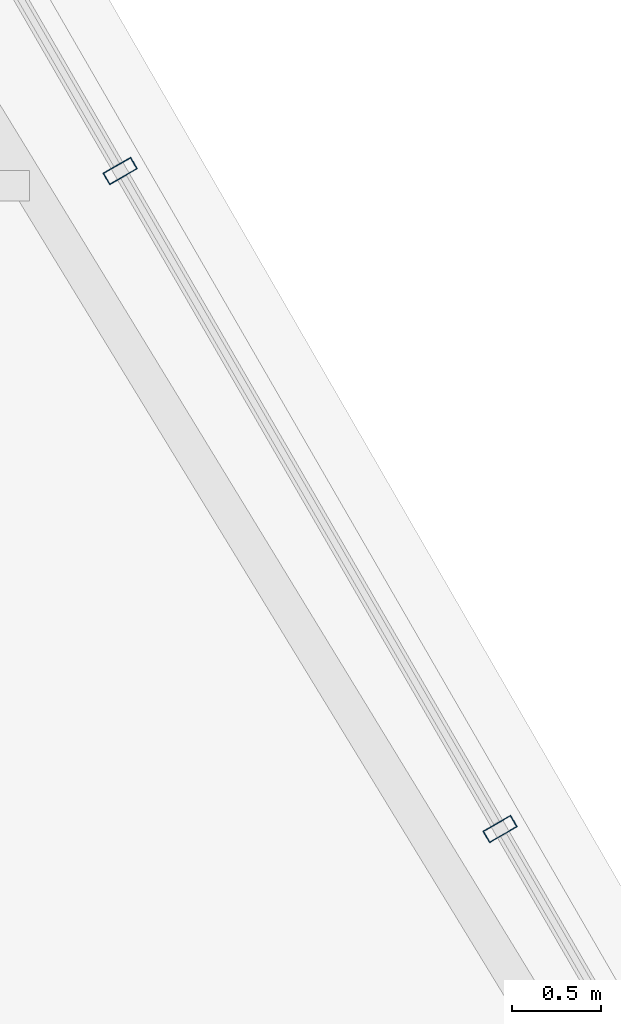
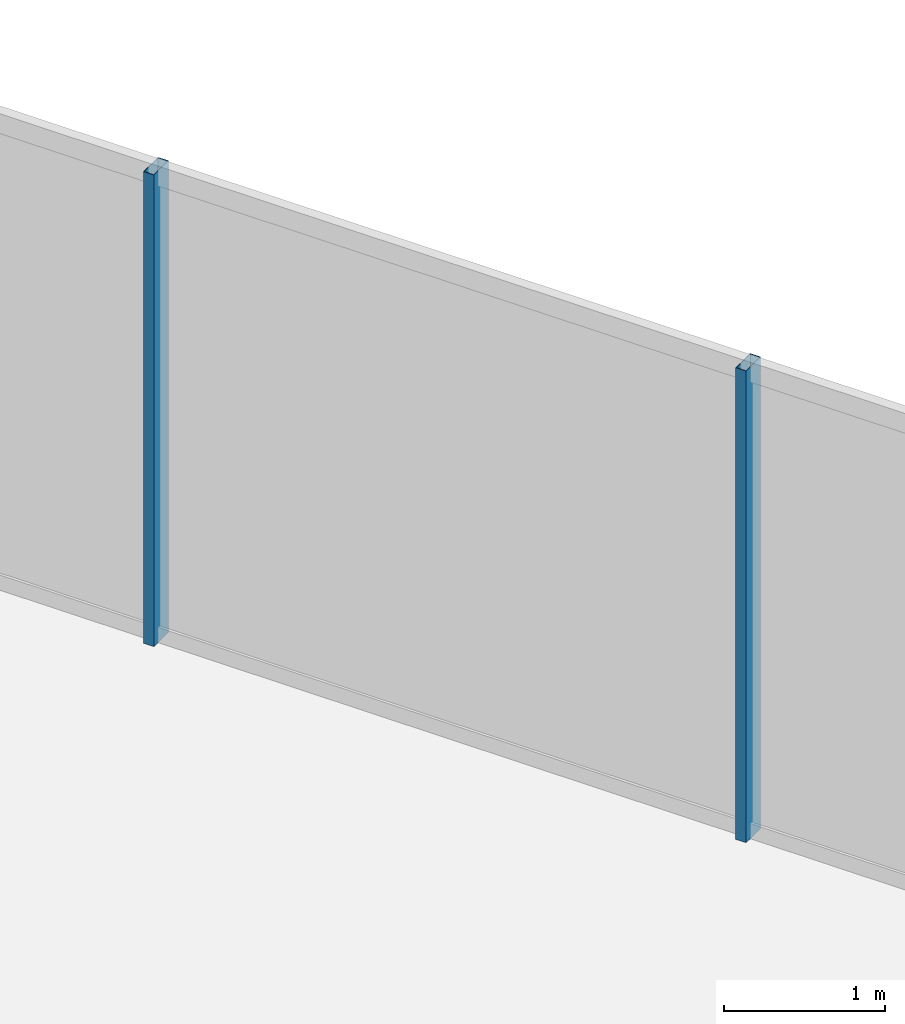
# One storey, part 19 of 34: 2 members, 1 element without a shape of its own.
"""IFC4 building model written with IfcOpenShell, lengths in metres."""

from ifc_helpers import new_model, si_unit, direction, frame, origin, origin_2d, place, context, subcontext, project, spatial, hollow_rectangle, extrude, material, layer, layer_set, material_profile, profile_set, type_object, element, aggregate, save


model = new_model("IFC4")

# Units and contexts
model_context = context("Model", 3, precision=1e-05, world=origin(), true_north=direction((0.0, 1.0)))
body_context = subcontext(model_context, "Body", "Model", "MODEL_VIEW")
ifc_project = project(units=[si_unit("LENGTHUNIT", "METRE"), si_unit("AREAUNIT", "SQUARE_METRE"), si_unit("VOLUMEUNIT", "CUBIC_METRE"), si_unit("PLANEANGLEUNIT", "RADIAN"), si_unit("MASSUNIT", "GRAM", prefix="KILO")], contexts=[model_context])

# Site, building, storey
site_placement = place(None, origin())
site = spatial("IfcSite", under=ifc_project, at=site_placement, CompositionType="ELEMENT")
building_placement = place(site_placement, origin())
building = spatial("IfcBuilding", under=site, at=building_placement, Name="Ndaravel Arena Tower", CompositionType="ELEMENT")
storey_placement = place(building_placement, frame((0.0, 0.0, 191.60009765625)))
storey = spatial("IfcBuildingStorey", under=building, at=storey_placement, Name="L46", CompositionType="ELEMENT", Elevation=191.60009765625)

# Curtain wall, members
ifc_material_1 = material(Name="Aluminium", Category="aluminium")
ifc_layer = layer(ifc_material_1, 0.179931640625)
ifc_layer_set = layer_set([ifc_layer], Name="Aluminium")
curtain_wall_type = type_object("IfcCurtainWallType", Name="CW-SYS-03", PredefinedType="NOTDEFINED", material=ifc_layer_set)
curtain_wall_placement = place(storey_placement, origin())
curtain_wall = element("IfcCurtainWall", 1, at=curtain_wall_placement, inside=storey, type_object=curtain_wall_type, Name="L46 Faceted Crystal Curtain Wall CW-L46-E03", PredefinedType="NOTDEFINED")
ifc_material_2 = material(Name="Aluminium", Category="aluminium")
ifc_material_profile = material_profile(ifc_material_2, hollow_rectangle(XDim=0.074951171875, YDim=0.179931640625, WallThickness=0.00390625, at=origin_2d()), Name="CW MULLION 75x180x4")
ifc_profile_set = profile_set([ifc_material_profile], Name="Aluminium")
member_type = type_object("IfcMemberType", Name="MEM-CW-MUL180", PredefinedType="MULLION", material=ifc_profile_set)
member_1_placement = place(storey_placement, frame((55.024658203125, 31.400634765625, 0.0), z_axis=(0.0, 0.0, 1.0), x_axis=(-0.5, 0.866025403784, 0.0)))
member_1 = element("IfcMember", 2, at=member_1_placement, type_object=member_type, Name="CW-L46-E03 Mullion 05", PredefinedType="MULLION", context=body_context, shape_type="SweptSolid", body=[
    extrude(hollow_rectangle(XDim=0.074951171875, YDim=0.179931640625, WallThickness=0.00390625, at=origin_2d()), origin(), (0.0, 0.0, 1.0), 3.579833984375),
])
member_2_placement = place(storey_placement, frame((52.899169921875, 35.08203125, 0.0), z_axis=(0.0, 0.0, 1.0), x_axis=(-0.5, 0.866025403784, 0.0)))
member_2 = element("IfcMember", 3, at=member_2_placement, type_object=member_type, Name="CW-L46-E03 Mullion 06", PredefinedType="MULLION", context=body_context, shape_type="SweptSolid", body=[
    extrude(hollow_rectangle(XDim=0.074951171875, YDim=0.179931640625, WallThickness=0.00390625, at=origin_2d()), origin(), (0.0, 0.0, 1.0), 3.579833984375),
])
aggregate(curtain_wall, [member_1, member_2])

save(model, "model.ifc")
